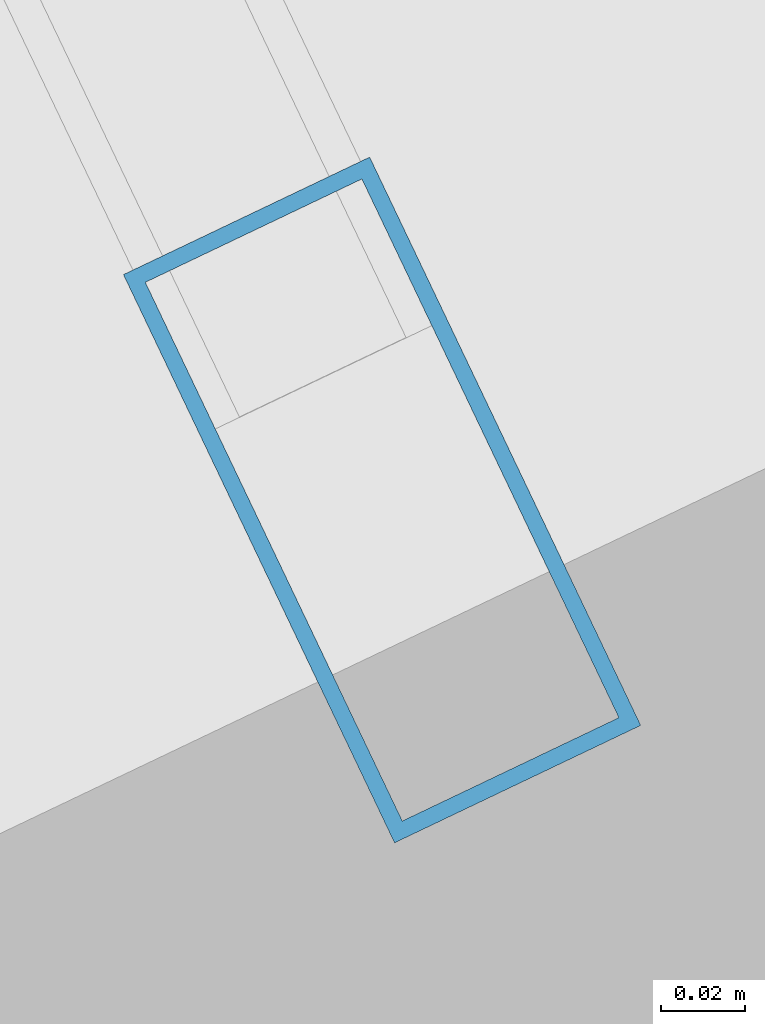
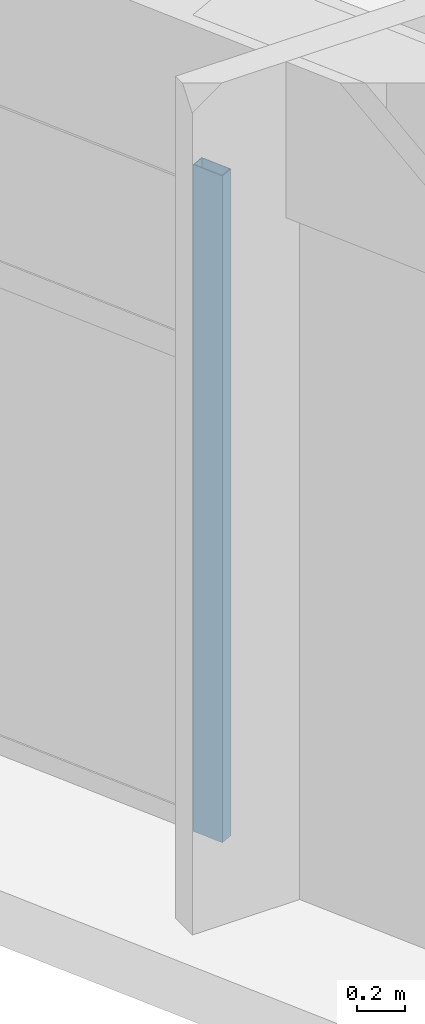
# One storey, part 6 of 35: 1 member, 1 element without a shape of its own.
"""IFC4 building model written with IfcOpenShell, lengths in metres."""

from ifc_helpers import new_model, si_unit, direction, frame, origin, origin_2d, place, context, subcontext, project, spatial, hollow_rectangle, extrude, source, transform, mapped, material, layer, layer_set, material_profile, profile_set, type_object, element, aggregate, save


model = new_model("IFC4")

# Units and contexts
model_context = context("Model", 3, precision=1e-05, world=origin(), true_north=direction((0.0, 1.0)))
body_context = subcontext(model_context, "Body", "Model", "MODEL_VIEW")
ifc_project = project(units=[si_unit("LENGTHUNIT", "METRE"), si_unit("AREAUNIT", "SQUARE_METRE"), si_unit("VOLUMEUNIT", "CUBIC_METRE"), si_unit("PLANEANGLEUNIT", "RADIAN"), si_unit("MASSUNIT", "GRAM", prefix="KILO")], contexts=[model_context])

# Site, building, storey
site_placement = place(None, origin())
site = spatial("IfcSite", under=ifc_project, at=site_placement, CompositionType="ELEMENT")
building_placement = place(site_placement, origin())
building = spatial("IfcBuilding", under=site, at=building_placement, Name="Liaohun Quay Tower", CompositionType="ELEMENT")
storey_placement = place(building_placement, frame((0.0, 0.0, 282.0)))
storey = spatial("IfcBuildingStorey", under=building, at=storey_placement, Name="L73", CompositionType="ELEMENT", Elevation=282.0)

# Curtain wall, member
ifc_material_1 = material(Name="Upper sky-lobby belvedere curtain wall")
ifc_layer = layer(ifc_material_1, 0.199951171875, Name="Upper sky-lobby belvedere curtain wall")
ifc_layer_set = layer_set([ifc_layer], Name="Upper sky-lobby belvedere curtain wall")
curtain_wall_type = type_object("IfcCurtainWallType", Name="CW-SKY-L73", PredefinedType="NOTDEFINED", material=ifc_layer_set)
curtain_wall_placement = place(storey_placement, origin())
curtain_wall = element("IfcCurtainWall", 1, at=curtain_wall_placement, inside=storey, type_object=curtain_wall_type, Name="L73 Panoramic Belvedere Curtain Wall 05", PredefinedType="NOTDEFINED")
ifc_material_2 = material(Name="Anodised aluminium 6063-T6", Category="aluminium")
ifc_material_profile = material_profile(ifc_material_2, hollow_rectangle(XDim=0.06494140625, YDim=0.14990234375, WallThickness=0.00390625, at=origin_2d()), Name="RHS150x65x4")
ifc_profile_set = profile_set([ifc_material_profile], Name="Anodised aluminium 6063-T6")
member_type = type_object("IfcMemberType", Name="MEM-CWM-SKY", PredefinedType="MULLION", material=ifc_profile_set)
shared_shape = source(origin(), body_context, "Body", "SweptSolid", [
    extrude(hollow_rectangle(XDim=0.06494140625, YDim=0.14990234375, WallThickness=0.00390625, at=origin_2d()), origin(), (0.0, 0.0, 1.0), 3.419921875),
])
member_placement = place(storey_placement, frame((35.446044921875, 52.533447265625, 0.0), z_axis=(0.0, 0.0, 1.0), x_axis=(0.902554178567, 0.430576305375, 0.0)))
member = element("IfcMember", 2, at=member_placement, type_object=member_type, Name="CW5 mullion 3", PredefinedType="MULLION", context=body_context, shape_type="MappedRepresentation", body=[
    mapped(shared_shape, transform((0.0, 0.0, 0.0), x_axis=(1.0, 0.0, 0.0), y_axis=(0.0, 1.0, 0.0), z_axis=(0.0, 0.0, 1.0), scale=1.0)),
])
aggregate(curtain_wall, [member])

save(model, "model.ifc")
